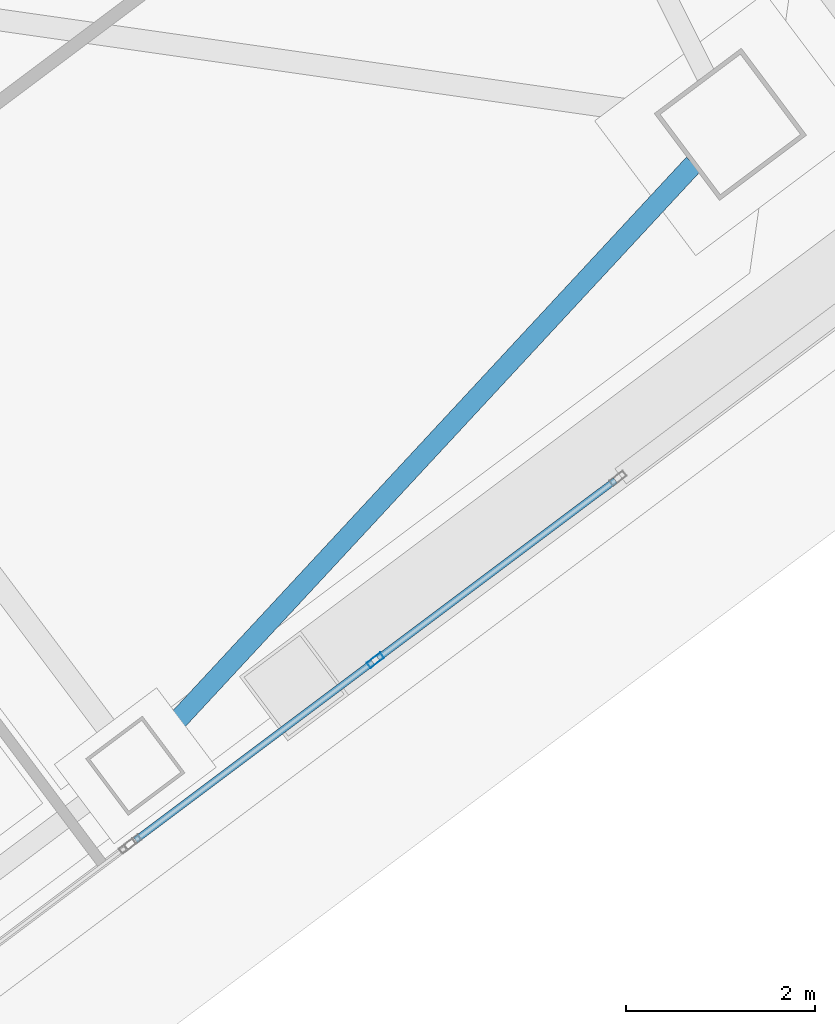
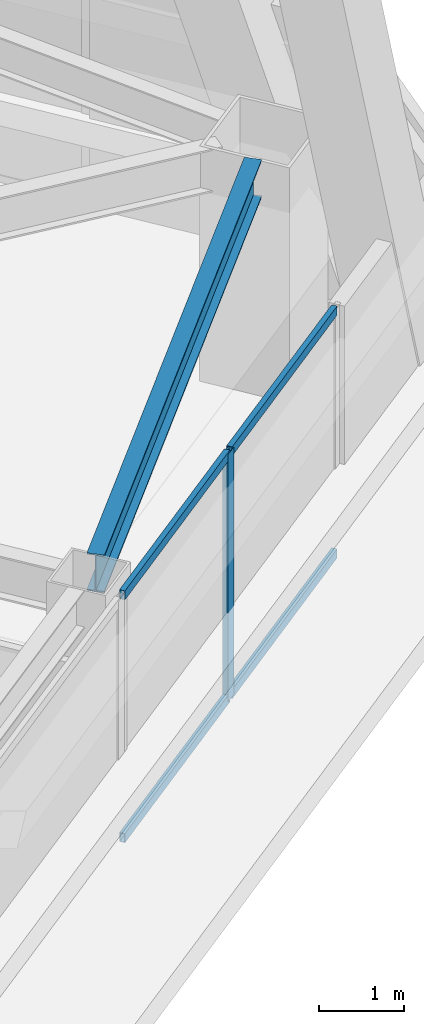
# One storey, part 40 of 65: 5 members, 1 beam, 1 element without a shape of its own.
"""IFC4 building model written with IfcOpenShell, lengths in metres."""

from ifc_helpers import new_model, si_unit, direction, frame, origin, origin_2d, place, context, subcontext, project, spatial, hollow_rectangle, i_section, extrude, material, material_profile, profile_set, type_object, element, aggregate, save


model = new_model("IFC4")

# Units and contexts
model_context = context("Model", 3, precision=1e-05, world=origin(), true_north=direction((0.0, 1.0)))
body_context = subcontext(model_context, "Body", "Model", "MODEL_VIEW")
ifc_project = project(units=[si_unit("LENGTHUNIT", "METRE"), si_unit("AREAUNIT", "SQUARE_METRE"), si_unit("VOLUMEUNIT", "CUBIC_METRE"), si_unit("PLANEANGLEUNIT", "RADIAN"), si_unit("MASSUNIT", "GRAM", prefix="KILO")], contexts=[model_context])

# Site, building, storey
site_placement = place(None, origin())
site = spatial("IfcSite", under=ifc_project, at=site_placement, CompositionType="ELEMENT")
building_placement = place(site_placement, origin())
building = spatial("IfcBuilding", under=site, at=building_placement, Name="Tashvorn Skyway Center", CompositionType="ELEMENT")
storey_placement = place(building_placement, frame((0.0, 0.0, 157.0)))
storey = spatial("IfcBuildingStorey", under=building, at=storey_placement, Name="L42", CompositionType="ELEMENT", Elevation=157.0)

# Beam
ifc_material_1 = material(Name="Steel ASTM A992 Grade 50", Category="steel")
ifc_material_profile_1 = material_profile(ifc_material_1, i_section(OverallWidth=0.2109375, OverallDepth=0.5390625, WebThickness=0.01171875, FlangeThickness=0.018798828125, at=origin_2d()), Name="W21X73")
ifc_profile_set_1 = profile_set([ifc_material_profile_1], Name="Steel ASTM A992 Grade 50")
beam_type = type_object("IfcBeamType", Name="BM-SPANDREL-W21X73", PredefinedType="SPANDREL", material=ifc_profile_set_1)
beam_placement = place(storey_placement, frame((128.26171875, 22.59130859375, 3.1005859375), z_axis=(0.680119661736, 0.733101115618, 0.0), x_axis=(-0.733101115618, 0.680119661736, 0.0)))
element("IfcBeam", 1, at=beam_placement, inside=storey, type_object=beam_type, Name="Tower 2 L42 Spandrel Beam 03", PredefinedType="SPANDREL", context=body_context, shape_type="SweptSolid", body=[
    extrude(i_section(OverallWidth=0.2109375, OverallDepth=0.5390625, WebThickness=0.01171875, FlangeThickness=0.018798828125, at=origin_2d()), origin(), (0.0, 0.0, 1.0), 8.308349609375),
])

# Curtain wall, members
ifc_material_2 = material(Name="Thermally broken bronze-anodized aluminium 6063-T6", Category="aluminium")
curtain_wall_type = type_object("IfcCurtainWallType", Name="CW-CW-Z4", PredefinedType="NOTDEFINED", material=ifc_material_2)
curtain_wall_placement = place(storey_placement, origin())
curtain_wall = element("IfcCurtainWall", 2, at=curtain_wall_placement, inside=storey, type_object=curtain_wall_type, Name="Tower 2 L42 South Unitised Curtain Wall Glazing Group 1", PredefinedType="NOTDEFINED")
ifc_material_profile_2 = material_profile(ifc_material_2, hollow_rectangle(XDim=0.070068359375, YDim=0.179931640625, WallThickness=0.00390625, at=origin_2d()), Name="ALU-MULL-70x180")
ifc_profile_set_2 = profile_set([ifc_material_profile_2], Name="Thermally broken bronze-anodized aluminium 6063-T6")
member_type_1 = type_object("IfcMemberType", Name="CWM-CW-Z4", PredefinedType="MULLION", material=ifc_profile_set_2)
member_1_placement = place(storey_placement, frame((130.548095703125, 23.43603515625, 0.0), z_axis=(0.0, 0.0, 1.0), x_axis=(0.600000000002, -0.799999999998, 0.0)))
member_1 = element("IfcMember", 3, at=member_1_placement, type_object=member_type_1, Name="CW-Z4 mullion 2", PredefinedType="MULLION", context=body_context, shape_type="SweptSolid", body=[
    extrude(hollow_rectangle(XDim=0.070068359375, YDim=0.179931640625, WallThickness=0.00390625, at=origin_2d()), origin(), (0.0, 0.0, 1.0), 3.550048828125),
])
ifc_material_profile_3 = material_profile(ifc_material_2, hollow_rectangle(XDim=0.070068359375, YDim=0.1298828125, WallThickness=0.00390625, at=origin_2d()), Name="ALU-TRAN-70x130")
ifc_profile_set_3 = profile_set([ifc_material_profile_3], Name="Thermally broken bronze-anodized aluminium 6063-T6")
member_type_2 = type_object("IfcMemberType", Name="CWT-CW-Z4", PredefinedType="USERDEFINED", material=ifc_profile_set_3)
member_2_placement = place(storey_placement, frame((133.083984375, 25.337890625, 0.034912109375), z_axis=(-0.800028034763, -0.599962618496, 0.0), x_axis=(0.599962618496, -0.800028034763, 0.0)))
member_2 = element("IfcMember", 4, at=member_2_placement, type_object=member_type_2, Name="CW-Z4 transom 1.1", ObjectType="TRANSOM", PredefinedType="USERDEFINED", context=body_context, shape_type="SweptSolid", body=[
    extrude(hollow_rectangle(XDim=0.070068359375, YDim=0.1298828125, WallThickness=0.00390625, at=origin_2d()), origin(), (0.0, 0.0, 1.0), 3.135009765625),
])
member_3_placement = place(storey_placement, frame((133.083984375, 25.337890625, 3.514892578125), z_axis=(-0.800028034763, -0.599962618496, 0.0), x_axis=(0.599962618496, -0.800028034763, 0.0)))
member_3 = element("IfcMember", 5, at=member_3_placement, type_object=member_type_2, Name="CW-Z4 transom 1.2", ObjectType="TRANSOM", PredefinedType="USERDEFINED", context=body_context, shape_type="SweptSolid", body=[
    extrude(hollow_rectangle(XDim=0.070068359375, YDim=0.1298828125, WallThickness=0.00390625, at=origin_2d()), origin(), (0.0, 0.0, 1.0), 3.135009765625),
])
member_4_placement = place(storey_placement, frame((130.52001953125, 23.4150390625, 0.034912109375), z_axis=(-0.799990655127, -0.600012459628, 0.0), x_axis=(0.600012459628, -0.799990655127, 0.0)))
member_4 = element("IfcMember", 6, at=member_4_placement, type_object=member_type_2, Name="CW-Z4 transom 2.1", ObjectType="TRANSOM", PredefinedType="USERDEFINED", context=body_context, shape_type="SweptSolid", body=[
    extrude(hollow_rectangle(XDim=0.070068359375, YDim=0.1298828125, WallThickness=0.00390625, at=origin_2d()), origin(), (0.0, 0.0, 1.0), 3.135009765625),
])
member_5_placement = place(storey_placement, frame((130.52001953125, 23.4150390625, 3.514892578125), z_axis=(-0.799990655127, -0.600012459628, 0.0), x_axis=(0.600012459628, -0.799990655127, 0.0)))
member_5 = element("IfcMember", 7, at=member_5_placement, type_object=member_type_2, Name="CW-Z4 transom 2.2", ObjectType="TRANSOM", PredefinedType="USERDEFINED", context=body_context, shape_type="SweptSolid", body=[
    extrude(hollow_rectangle(XDim=0.070068359375, YDim=0.1298828125, WallThickness=0.00390625, at=origin_2d()), origin(), (0.0, 0.0, 1.0), 3.135009765625),
])
aggregate(curtain_wall, [member_1, member_2, member_3, member_4, member_5])

save(model, "model.ifc")
